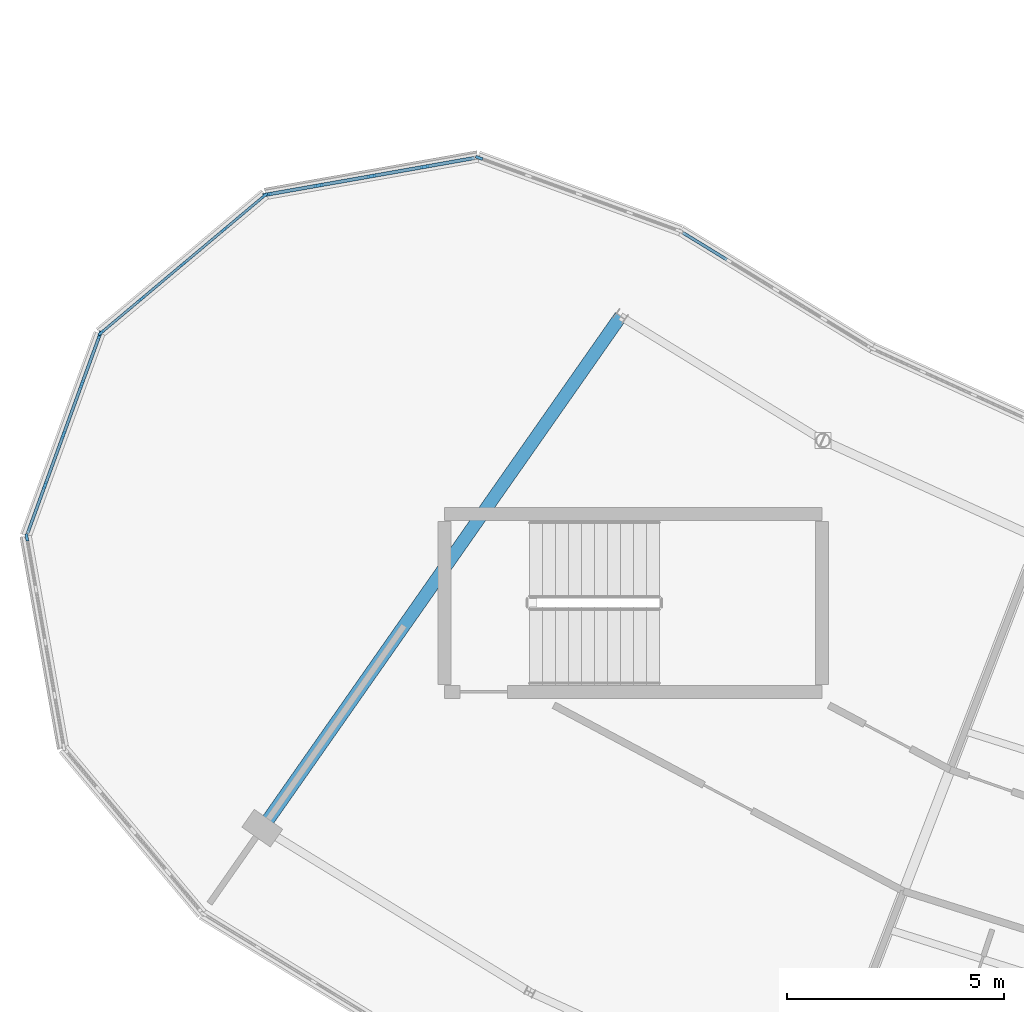
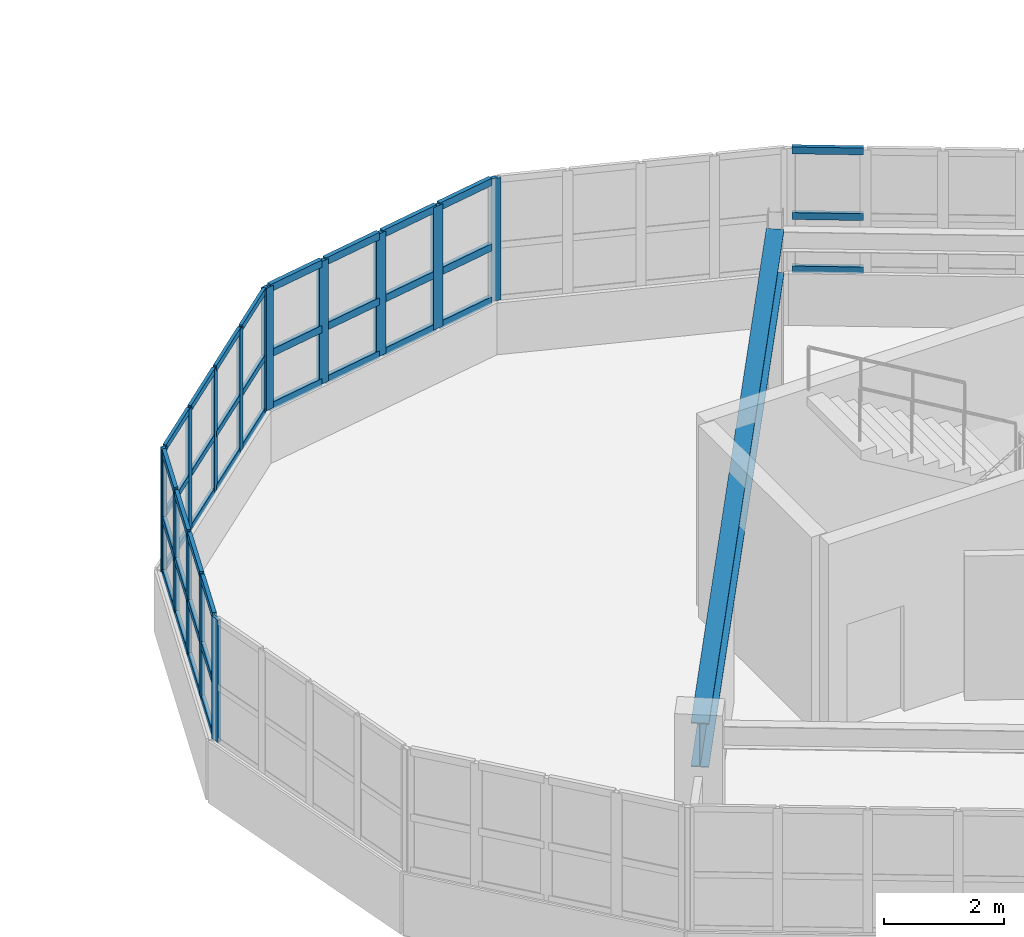
# One storey, part 21 of 79: 54 members, 1 beam, 6 elements without a shape of their own.
"""IFC4 building model written with IfcOpenShell, lengths in metres."""

from ifc_helpers import new_model, si_unit, direction, frame, origin, origin_2d, place, context, subcontext, project, spatial, rectangle, i_section, extrude, material, layer, layer_set, material_profile, profile_set, type_object, element, aggregate, save


model = new_model("IFC4")

# Units and contexts
model_context = context("Model", 3, precision=1e-05, world=origin(), true_north=direction((0.0, 1.0)))
body_context = subcontext(model_context, "Body", "Model", "MODEL_VIEW")
ifc_project = project(units=[si_unit("LENGTHUNIT", "METRE"), si_unit("AREAUNIT", "SQUARE_METRE"), si_unit("VOLUMEUNIT", "CUBIC_METRE"), si_unit("PLANEANGLEUNIT", "RADIAN"), si_unit("MASSUNIT", "GRAM", prefix="KILO")], contexts=[model_context])

# Site, building, storey
site_placement = place(None, origin())
site = spatial("IfcSite", under=ifc_project, at=site_placement, CompositionType="ELEMENT")
building_placement = place(site_placement, origin())
building = spatial("IfcBuilding", under=site, at=building_placement, Name="Tarnwether General Hospital", CompositionType="ELEMENT")
storey_placement = place(building_placement, frame((0.0, 0.0, 18.300048828125)))
storey = spatial("IfcBuildingStorey", under=building, at=storey_placement, Name="L04", CompositionType="ELEMENT", Elevation=18.300048828125)

# Beam
ifc_material_1 = material(Name="Steel Grade 350 (350 MPa)", Category="steel")
ifc_material_profile_1 = material_profile(ifc_material_1, i_section(OverallWidth=0.300048828125, OverallDepth=0.89990234375, WebThickness=0.011962890625, FlangeThickness=0.02001953125, at=origin_2d()), Name="900WB175")
ifc_profile_set_1 = profile_set([ifc_material_profile_1], Name="Steel Grade 350 (350 MPa)")
beam_type = type_object("IfcBeamType", Name="BM-G01", PredefinedType="BEAM", material=ifc_profile_set_1)
beam_placement = place(storey_placement, frame((58.0439453125, 14.506103515625, 3.10986328125), z_axis=(0.573596601347, 0.819137924237, 0.0), x_axis=(-0.819137924237, 0.573596601347, 0.0)))
element("IfcBeam", 1, at=beam_placement, inside=storey, type_object=beam_type, Name="Curved Ward SE Radial Girder BMG-L04-5804_1451-6630_2630-2131", PredefinedType="BEAM", context=body_context, shape_type="SweptSolid", body=[
    extrude(i_section(OverallWidth=0.300048828125, OverallDepth=0.89990234375, WebThickness=0.011962890625, FlangeThickness=0.02001953125, at=origin_2d()), origin(), (0.0, 0.0, 1.0), 14.400390625),
])

# Curtain wall, members
ifc_material_2 = material(Name="Anodised aluminium", Category="aluminium")
ifc_layer = layer(ifc_material_2, 0.159912109375)
ifc_layer_set = layer_set([ifc_layer], Name="Anodised aluminium")
curtain_wall_type = type_object("IfcCurtainWallType", Name="CW-03", PredefinedType="NOTDEFINED", material=ifc_layer_set)
curtain_wall_1_placement = place(storey_placement, origin())
curtain_wall_1 = element("IfcCurtainWall", 2, at=curtain_wall_1_placement, inside=storey, type_object=curtain_wall_type, Name="Curtain Wall CWG-L04-543_259-0214", PredefinedType="NOTDEFINED")
ifc_material_3 = material(Name="Anodised aluminium", Category="aluminium")
ifc_material_profile_2 = material_profile(ifc_material_3, rectangle(XDim=0.06005859375, YDim=0.159912109375, at=origin_2d()), Name="ALU-MUL-60x160")
ifc_profile_set_2 = profile_set([ifc_material_profile_2], Name="Anodised aluminium")
member_type_1 = type_object("IfcMemberType", Name="CW-ML1", PredefinedType="MULLION", material=ifc_profile_set_2)
member_1_placement = place(storey_placement, frame((54.3330078125, 25.92919921875, 1.050048828125), z_axis=(0.0, 0.0, 1.0), x_axis=(-0.64285227611, 0.765990176896, 0.0)))
member_1 = element("IfcMember", 3, at=member_1_placement, type_object=member_type_1, Name="CW-03 mullion 1", PredefinedType="MULLION", context=body_context, shape_type="SweptSolid", body=[
    extrude(rectangle(XDim=0.06005859375, YDim=0.159912109375, at=origin_2d()), origin(), (0.0, 0.0, 1.0), 2.489990234375),
])
member_2_placement = place(storey_placement, frame((55.26171875, 26.708740234375, 1.050048828125), z_axis=(0.0, 0.0, 1.0), x_axis=(-0.64285227611, 0.765990176896, 0.0)))
member_2 = element("IfcMember", 4, at=member_2_placement, type_object=member_type_1, Name="CW-03 mullion 2", PredefinedType="MULLION", context=body_context, shape_type="SweptSolid", body=[
    extrude(rectangle(XDim=0.06005859375, YDim=0.159912109375, at=origin_2d()), origin(), (0.0, 0.0, 1.0), 2.489990234375),
])
member_3_placement = place(storey_placement, frame((56.21337890625, 27.507568359375, 1.050048828125), z_axis=(0.0, 0.0, 1.0), x_axis=(-0.64285227611, 0.765990176896, 0.0)))
member_3 = element("IfcMember", 5, at=member_3_placement, type_object=member_type_1, Name="CW-03 mullion 3", PredefinedType="MULLION", context=body_context, shape_type="SweptSolid", body=[
    extrude(rectangle(XDim=0.06005859375, YDim=0.159912109375, at=origin_2d()), origin(), (0.0, 0.0, 1.0), 2.489990234375),
])
member_4_placement = place(storey_placement, frame((57.165283203125, 28.30615234375, 1.050048828125), z_axis=(0.0, 0.0, 1.0), x_axis=(-0.64285227611, 0.765990176896, 0.0)))
member_4 = element("IfcMember", 6, at=member_4_placement, type_object=member_type_1, Name="CW-03 mullion 4", PredefinedType="MULLION", context=body_context, shape_type="SweptSolid", body=[
    extrude(rectangle(XDim=0.06005859375, YDim=0.159912109375, at=origin_2d()), origin(), (0.0, 0.0, 1.0), 2.489990234375),
])
member_5_placement = place(storey_placement, frame((58.093994140625, 29.085693359375, 1.050048828125), z_axis=(0.0, 0.0, 1.0), x_axis=(-0.64285227611, 0.765990176896, 0.0)))
member_5 = element("IfcMember", 7, at=member_5_placement, type_object=member_type_1, Name="CW-03 mullion 5", PredefinedType="MULLION", context=body_context, shape_type="SweptSolid", body=[
    extrude(rectangle(XDim=0.06005859375, YDim=0.159912109375, at=origin_2d()), origin(), (0.0, 0.0, 1.0), 2.489990234375),
])

curtain_wall_2_placement = place(storey_placement, origin())
curtain_wall_2 = element("IfcCurtainWall", 8, at=curtain_wall_2_placement, inside=storey, type_object=curtain_wall_type, Name="Curtain Wall CWG-L04-526_212-0215", PredefinedType="NOTDEFINED")
ifc_material_4 = material(Name="Anodised aluminium", Category="aluminium")
ifc_material_profile_3 = material_profile(ifc_material_4, rectangle(XDim=0.070068359375, YDim=0.179931640625, at=origin_2d()), Name="ALU-MUL-70x180")
ifc_profile_set_3 = profile_set([ifc_material_profile_3], Name="Anodised aluminium")
member_type_2 = type_object("IfcMemberType", Name="CW-ML2", PredefinedType="MULLION", material=ifc_profile_set_3)
member_6_placement = place(storey_placement, frame((53.03564453125, 22.408203125, 1.050048828125), z_axis=(0.0, 0.0, 1.0), x_axis=(-0.939717006582, 0.341953136469, 0.0)))
member_6 = element("IfcMember", 9, at=member_6_placement, type_object=member_type_2, Name="CW-03 mullion 2", PredefinedType="MULLION", context=body_context, shape_type="SweptSolid", body=[
    extrude(rectangle(XDim=0.070068359375, YDim=0.179931640625, at=origin_2d()), origin(), (0.0, 0.0, 1.0), 2.489990234375),
])
member_7_placement = place(storey_placement, frame((53.46044921875, 23.575439453125, 1.050048828125), z_axis=(0.0, 0.0, 1.0), x_axis=(-0.939717006582, 0.341953136469, 0.0)))
member_7 = element("IfcMember", 10, at=member_7_placement, type_object=member_type_2, Name="CW-03 mullion 3", PredefinedType="MULLION", context=body_context, shape_type="SweptSolid", body=[
    extrude(rectangle(XDim=0.070068359375, YDim=0.179931640625, at=origin_2d()), origin(), (0.0, 0.0, 1.0), 2.489990234375),
])
member_8_placement = place(storey_placement, frame((53.88525390625, 24.74267578125, 1.050048828125), z_axis=(0.0, 0.0, 1.0), x_axis=(-0.939717006582, 0.341953136469, 0.0)))
member_8 = element("IfcMember", 11, at=member_8_placement, type_object=member_type_2, Name="CW-03 mullion 4", PredefinedType="MULLION", context=body_context, shape_type="SweptSolid", body=[
    extrude(rectangle(XDim=0.070068359375, YDim=0.179931640625, at=origin_2d()), origin(), (0.0, 0.0, 1.0), 2.489990234375),
])
member_9_placement = place(storey_placement, frame((54.298095703125, 25.877197265625, 1.050048828125), z_axis=(0.0, 0.0, 1.0), x_axis=(-0.939717006582, 0.341953136469, 0.0)))
member_9 = element("IfcMember", 12, at=member_9_placement, type_object=member_type_2, Name="CW-03 mullion 5", PredefinedType="MULLION", context=body_context, shape_type="SweptSolid", body=[
    extrude(rectangle(XDim=0.070068359375, YDim=0.179931640625, at=origin_2d()), origin(), (0.0, 0.0, 1.0), 2.489990234375),
])

# Curtain wall, member
curtain_wall_3_placement = place(storey_placement, origin())
curtain_wall_3 = element("IfcCurtainWall", 13, at=curtain_wall_3_placement, inside=storey, type_object=curtain_wall_type, Name="Curtain Wall CWG-L04-630_300-0212", PredefinedType="NOTDEFINED")
ifc_material_5 = material(Name="Anodised aluminium", Category="aluminium")
ifc_material_profile_4 = material_profile(ifc_material_5, rectangle(XDim=0.06494140625, YDim=0.169921875, at=origin_2d()), Name="ALU-MUL-65x170")
ifc_profile_set_4 = profile_set([ifc_material_profile_4], Name="Anodised aluminium")
member_type_3 = type_object("IfcMemberType", Name="CW-ML3", PredefinedType="MULLION", material=ifc_profile_set_4)
member_10_placement = place(storey_placement, frame((63.04150390625, 29.956787109375, 1.050048828125), z_axis=(0.0, 0.0, 1.0), x_axis=(0.342130850834, 0.939652319163, 0.0)))
member_10 = element("IfcMember", 14, at=member_10_placement, type_object=member_type_3, Name="CW-03 mullion 1", PredefinedType="MULLION", context=body_context, shape_type="SweptSolid", body=[
    extrude(rectangle(XDim=0.06494140625, YDim=0.169921875, at=origin_2d()), origin(), (0.0, 0.0, 1.0), 2.489990234375),
])
aggregate(curtain_wall_3, [member_10])

curtain_wall_4_placement = place(storey_placement, origin())
curtain_wall_4 = element("IfcCurtainWall", 15, at=curtain_wall_4_placement, inside=storey, type_object=curtain_wall_type, Name="Curtain Wall CWG-L04-535_163-0216", PredefinedType="NOTDEFINED")
member_11_placement = place(storey_placement, frame((52.61669921875, 21.208984375, 1.050048828125), z_axis=(0.0, 0.0, 1.0), x_axis=(-0.984840230098, -0.173463890135, 0.0)))
member_11 = element("IfcMember", 16, at=member_11_placement, type_object=member_type_3, Name="CW-03 mullion 5", PredefinedType="MULLION", context=body_context, shape_type="SweptSolid", body=[
    extrude(rectangle(XDim=0.06494140625, YDim=0.169921875, at=origin_2d()), origin(), (0.0, 0.0, 1.0), 2.489990234375),
])
aggregate(curtain_wall_4, [member_11])

# Curtain wall, members
curtain_wall_5_placement = place(storey_placement, origin())
curtain_wall_5 = element("IfcCurtainWall", 17, at=curtain_wall_5_placement, inside=storey, type_object=curtain_wall_type, Name="Curtain Wall CWG-L04-581_291-0213", PredefinedType="NOTDEFINED")
ifc_material_6 = material(Name="Anodised aluminium", Category="aluminium")
ifc_material_profile_5 = material_profile(ifc_material_6, rectangle(XDim=0.080078125, YDim=0.199951171875, at=origin_2d()), Name="ALU-MUL-80x200")
ifc_profile_set_5 = profile_set([ifc_material_profile_5], Name="Anodised aluminium")
member_type_4 = type_object("IfcMemberType", Name="CW-ML4", PredefinedType="MULLION", material=ifc_profile_set_5)
member_12_placement = place(storey_placement, frame((58.156494140625, 29.112060546875, 1.050048828125), z_axis=(0.0, 0.0, 1.0), x_axis=(-0.173659059054, 0.984805834268, 0.0)))
member_12 = element("IfcMember", 18, at=member_12_placement, type_object=member_type_4, Name="CW-03 mullion 1", PredefinedType="MULLION", context=body_context, shape_type="SweptSolid", body=[
    extrude(rectangle(XDim=0.080078125, YDim=0.199951171875, at=origin_2d()), origin(), (0.0, 0.0, 1.0), 2.489990234375),
])
member_13_placement = place(storey_placement, frame((59.340576171875, 29.32080078125, 1.050048828125), z_axis=(0.0, 0.0, 1.0), x_axis=(-0.173659059054, 0.984805834268, 0.0)))
member_13 = element("IfcMember", 19, at=member_13_placement, type_object=member_type_4, Name="CW-03 mullion 2", PredefinedType="MULLION", context=body_context, shape_type="SweptSolid", body=[
    extrude(rectangle(XDim=0.080078125, YDim=0.199951171875, at=origin_2d()), origin(), (0.0, 0.0, 1.0), 2.489990234375),
])
member_14_placement = place(storey_placement, frame((60.56396484375, 29.53662109375, 1.050048828125), z_axis=(0.0, 0.0, 1.0), x_axis=(-0.173659059054, 0.984805834268, 0.0)))
member_14 = element("IfcMember", 20, at=member_14_placement, type_object=member_type_4, Name="CW-03 mullion 3", PredefinedType="MULLION", context=body_context, shape_type="SweptSolid", body=[
    extrude(rectangle(XDim=0.080078125, YDim=0.199951171875, at=origin_2d()), origin(), (0.0, 0.0, 1.0), 2.489990234375),
])
member_15_placement = place(storey_placement, frame((61.78759765625, 29.752197265625, 1.050048828125), z_axis=(0.0, 0.0, 1.0), x_axis=(-0.173659059054, 0.984805834268, 0.0)))
member_15 = element("IfcMember", 21, at=member_15_placement, type_object=member_type_4, Name="CW-03 mullion 4", PredefinedType="MULLION", context=body_context, shape_type="SweptSolid", body=[
    extrude(rectangle(XDim=0.080078125, YDim=0.199951171875, at=origin_2d()), origin(), (0.0, 0.0, 1.0), 2.489990234375),
])

# Member
ifc_material_7 = material(Name="Anodised aluminium", Category="aluminium")
ifc_material_profile_6 = material_profile(ifc_material_7, rectangle(XDim=0.06005859375, YDim=0.1201171875, at=origin_2d()), Name="ALU-TRN-60x120")
ifc_profile_set_6 = profile_set([ifc_material_profile_6], Name="Anodised aluminium")
member_type_5 = type_object("IfcMemberType", Name="CW-TR1", PredefinedType="USERDEFINED", material=ifc_profile_set_6)
member_16_placement = place(storey_placement, frame((54.35595703125, 25.948486328125, 1.079833984375), z_axis=(0.765959352555, 0.642889003043, 0.0), x_axis=(-0.642889003043, 0.765959352555, 0.0)))
member_16 = element("IfcMember", 22, at=member_16_placement, type_object=member_type_5, Name="CW-03 transom 1.1", ObjectType="TRANSOM", PredefinedType="USERDEFINED", context=body_context, shape_type="SweptSolid", body=[
    extrude(rectangle(XDim=0.06005859375, YDim=0.1201171875, at=origin_2d()), origin(), (0.0, 0.0, 1.0), 1.152587890625),
])

member_17_placement = place(storey_placement, frame((54.35595703125, 25.948486328125, 2.17041015625), z_axis=(0.765959352555, 0.642889003043, 0.0), x_axis=(-0.642889003043, 0.765959352555, 0.0)))
member_17 = element("IfcMember", 23, at=member_17_placement, type_object=member_type_5, Name="CW-03 transom 1.2", ObjectType="TRANSOM", PredefinedType="USERDEFINED", context=body_context, shape_type="SweptSolid", body=[
    extrude(rectangle(XDim=0.06005859375, YDim=0.1201171875, at=origin_2d()), origin(), (0.0, 0.0, 1.0), 1.152587890625),
])

member_18_placement = place(storey_placement, frame((54.35595703125, 25.948486328125, 3.510009765625), z_axis=(0.765959352555, 0.642889003043, 0.0), x_axis=(-0.642889003043, 0.765959352555, 0.0)))
member_18 = element("IfcMember", 24, at=member_18_placement, type_object=member_type_5, Name="CW-03 transom 1.3", ObjectType="TRANSOM", PredefinedType="USERDEFINED", context=body_context, shape_type="SweptSolid", body=[
    extrude(rectangle(XDim=0.06005859375, YDim=0.1201171875, at=origin_2d()), origin(), (0.0, 0.0, 1.0), 1.152587890625),
])

member_19_placement = place(storey_placement, frame((55.28466796875, 26.72802734375, 1.079833984375), z_axis=(0.765948837417, 0.642901530921, 0.0), x_axis=(-0.642901530921, 0.765948837417, 0.0)))
member_19 = element("IfcMember", 25, at=member_19_placement, type_object=member_type_5, Name="CW-03 transom 2.1", ObjectType="TRANSOM", PredefinedType="USERDEFINED", context=body_context, shape_type="SweptSolid", body=[
    extrude(rectangle(XDim=0.06005859375, YDim=0.1201171875, at=origin_2d()), origin(), (0.0, 0.0, 1.0), 1.1826171875),
])

member_20_placement = place(storey_placement, frame((55.28466796875, 26.72802734375, 2.17041015625), z_axis=(0.765948837417, 0.642901530921, 0.0), x_axis=(-0.642901530921, 0.765948837417, 0.0)))
member_20 = element("IfcMember", 26, at=member_20_placement, type_object=member_type_5, Name="CW-03 transom 2.2", ObjectType="TRANSOM", PredefinedType="USERDEFINED", context=body_context, shape_type="SweptSolid", body=[
    extrude(rectangle(XDim=0.06005859375, YDim=0.1201171875, at=origin_2d()), origin(), (0.0, 0.0, 1.0), 1.1826171875),
])

member_21_placement = place(storey_placement, frame((55.28466796875, 26.72802734375, 3.510009765625), z_axis=(0.765948837417, 0.642901530921, 0.0), x_axis=(-0.642901530921, 0.765948837417, 0.0)))
member_21 = element("IfcMember", 27, at=member_21_placement, type_object=member_type_5, Name="CW-03 transom 2.3", ObjectType="TRANSOM", PredefinedType="USERDEFINED", context=body_context, shape_type="SweptSolid", body=[
    extrude(rectangle(XDim=0.06005859375, YDim=0.1201171875, at=origin_2d()), origin(), (0.0, 0.0, 1.0), 1.1826171875),
])

member_22_placement = place(storey_placement, frame((56.236572265625, 27.52685546875, 1.079833984375), z_axis=(0.766050506006, 0.64278038415, 0.0), x_axis=(-0.64278038415, 0.766050506006, 0.0)))
member_22 = element("IfcMember", 28, at=member_22_placement, type_object=member_type_5, Name="CW-03 transom 3.1", ObjectType="TRANSOM", PredefinedType="USERDEFINED", context=body_context, shape_type="SweptSolid", body=[
    extrude(rectangle(XDim=0.06005859375, YDim=0.1201171875, at=origin_2d()), origin(), (0.0, 0.0, 1.0), 1.182373046875),
])

member_23_placement = place(storey_placement, frame((56.236572265625, 27.52685546875, 2.17041015625), z_axis=(0.766050506006, 0.64278038415, 0.0), x_axis=(-0.64278038415, 0.766050506006, 0.0)))
member_23 = element("IfcMember", 29, at=member_23_placement, type_object=member_type_5, Name="CW-03 transom 3.2", ObjectType="TRANSOM", PredefinedType="USERDEFINED", context=body_context, shape_type="SweptSolid", body=[
    extrude(rectangle(XDim=0.06005859375, YDim=0.1201171875, at=origin_2d()), origin(), (0.0, 0.0, 1.0), 1.182373046875),
])

member_24_placement = place(storey_placement, frame((56.236572265625, 27.52685546875, 3.510009765625), z_axis=(0.766050506006, 0.64278038415, 0.0), x_axis=(-0.64278038415, 0.766050506006, 0.0)))
member_24 = element("IfcMember", 30, at=member_24_placement, type_object=member_type_5, Name="CW-03 transom 3.3", ObjectType="TRANSOM", PredefinedType="USERDEFINED", context=body_context, shape_type="SweptSolid", body=[
    extrude(rectangle(XDim=0.06005859375, YDim=0.1201171875, at=origin_2d()), origin(), (0.0, 0.0, 1.0), 1.182373046875),
])

member_25_placement = place(storey_placement, frame((57.188232421875, 28.325439453125, 1.079833984375), z_axis=(0.765959352555, 0.642889003043, 0.0), x_axis=(-0.642889003043, 0.765959352555, 0.0)))
member_25 = element("IfcMember", 31, at=member_25_placement, type_object=member_type_5, Name="CW-03 transom 4.1", ObjectType="TRANSOM", PredefinedType="USERDEFINED", context=body_context, shape_type="SweptSolid", body=[
    extrude(rectangle(XDim=0.06005859375, YDim=0.1201171875, at=origin_2d()), origin(), (0.0, 0.0, 1.0), 1.152587890625),
])

member_26_placement = place(storey_placement, frame((57.188232421875, 28.325439453125, 2.17041015625), z_axis=(0.765959352555, 0.642889003043, 0.0), x_axis=(-0.642889003043, 0.765959352555, 0.0)))
member_26 = element("IfcMember", 32, at=member_26_placement, type_object=member_type_5, Name="CW-03 transom 4.2", ObjectType="TRANSOM", PredefinedType="USERDEFINED", context=body_context, shape_type="SweptSolid", body=[
    extrude(rectangle(XDim=0.06005859375, YDim=0.1201171875, at=origin_2d()), origin(), (0.0, 0.0, 1.0), 1.152587890625),
])

member_27_placement = place(storey_placement, frame((57.188232421875, 28.325439453125, 3.510009765625), z_axis=(0.765959352555, 0.642889003043, 0.0), x_axis=(-0.642889003043, 0.765959352555, 0.0)))
member_27 = element("IfcMember", 33, at=member_27_placement, type_object=member_type_5, Name="CW-03 transom 4.3", ObjectType="TRANSOM", PredefinedType="USERDEFINED", context=body_context, shape_type="SweptSolid", body=[
    extrude(rectangle(XDim=0.06005859375, YDim=0.1201171875, at=origin_2d()), origin(), (0.0, 0.0, 1.0), 1.152587890625),
])

aggregate(curtain_wall_1, [member_1, member_2, member_3, member_4, member_5, member_16, member_17, member_18, member_19, member_20, member_21, member_22, member_23, member_24, member_25, member_26, member_27])

# Curtain wall, members
curtain_wall_6_placement = place(storey_placement, origin())
curtain_wall_6 = element("IfcCurtainWall", 34, at=curtain_wall_6_placement, inside=storey, type_object=curtain_wall_type, Name="Curtain Wall CWG-L04-677_283-0211", PredefinedType="NOTDEFINED")
ifc_material_8 = material(Name="Anodised aluminium", Category="aluminium")
ifc_material_profile_7 = material_profile(ifc_material_8, rectangle(XDim=0.070068359375, YDim=0.139892578125, at=origin_2d()), Name="ALU-TRN-70x140")
ifc_profile_set_7 = profile_set([ifc_material_profile_7], Name="Anodised aluminium")
member_type_6 = type_object("IfcMemberType", Name="CW-TR2", PredefinedType="USERDEFINED", material=ifc_profile_set_7)
member_28_placement = place(storey_placement, frame((67.73974609375, 28.2314453125, 1.0849609375), z_axis=(0.852636658785, -0.522504285242, 0.0), x_axis=(0.522504285242, 0.852636658785, 0.0)))
member_28 = element("IfcMember", 35, at=member_28_placement, type_object=member_type_6, Name="CW-03 transom 1.1", ObjectType="TRANSOM", PredefinedType="USERDEFINED", context=body_context, shape_type="SweptSolid", body=[
    extrude(rectangle(XDim=0.070068359375, YDim=0.139892578125, at=origin_2d()), origin(), (0.0, 0.0, 1.0), 1.189208984375),
])
member_29_placement = place(storey_placement, frame((67.73974609375, 28.2314453125, 2.17041015625), z_axis=(0.852636658785, -0.522504285242, 0.0), x_axis=(0.522504285242, 0.852636658785, 0.0)))
member_29 = element("IfcMember", 36, at=member_29_placement, type_object=member_type_6, Name="CW-03 transom 1.2", ObjectType="TRANSOM", PredefinedType="USERDEFINED", context=body_context, shape_type="SweptSolid", body=[
    extrude(rectangle(XDim=0.070068359375, YDim=0.139892578125, at=origin_2d()), origin(), (0.0, 0.0, 1.0), 1.189208984375),
])
member_30_placement = place(storey_placement, frame((67.73974609375, 28.2314453125, 3.5048828125), z_axis=(0.852636658785, -0.522504285242, 0.0), x_axis=(0.522504285242, 0.852636658785, 0.0)))
member_30 = element("IfcMember", 37, at=member_30_placement, type_object=member_type_6, Name="CW-03 transom 1.3", ObjectType="TRANSOM", PredefinedType="USERDEFINED", context=body_context, shape_type="SweptSolid", body=[
    extrude(rectangle(XDim=0.070068359375, YDim=0.139892578125, at=origin_2d()), origin(), (0.0, 0.0, 1.0), 1.189208984375),
])
aggregate(curtain_wall_6, [member_28, member_29, member_30])

# Member
member_31_placement = place(storey_placement, frame((52.635009765625, 21.306884765625, 1.0849609375), z_axis=(0.341881000608, 0.939743252928, 0.0), x_axis=(-0.939743252928, 0.341881000608, 0.0)))
member_31 = element("IfcMember", 38, at=member_31_placement, type_object=member_type_6, Name="CW-03 transom 1.1", ObjectType="TRANSOM", PredefinedType="USERDEFINED", context=body_context, shape_type="SweptSolid", body=[
    extrude(rectangle(XDim=0.070068359375, YDim=0.139892578125, at=origin_2d()), origin(), (0.0, 0.0, 1.0), 1.136962890625),
])

member_32_placement = place(storey_placement, frame((52.635009765625, 21.306884765625, 2.17041015625), z_axis=(0.341881000608, 0.939743252928, 0.0), x_axis=(-0.939743252928, 0.341881000608, 0.0)))
member_32 = element("IfcMember", 39, at=member_32_placement, type_object=member_type_6, Name="CW-03 transom 1.2", ObjectType="TRANSOM", PredefinedType="USERDEFINED", context=body_context, shape_type="SweptSolid", body=[
    extrude(rectangle(XDim=0.070068359375, YDim=0.139892578125, at=origin_2d()), origin(), (0.0, 0.0, 1.0), 1.136962890625),
])

member_33_placement = place(storey_placement, frame((52.635009765625, 21.306884765625, 3.5048828125), z_axis=(0.341881000608, 0.939743252928, 0.0), x_axis=(-0.939743252928, 0.341881000608, 0.0)))
member_33 = element("IfcMember", 40, at=member_33_placement, type_object=member_type_6, Name="CW-03 transom 1.3", ObjectType="TRANSOM", PredefinedType="USERDEFINED", context=body_context, shape_type="SweptSolid", body=[
    extrude(rectangle(XDim=0.070068359375, YDim=0.139892578125, at=origin_2d()), origin(), (0.0, 0.0, 1.0), 1.136962890625),
])

member_34_placement = place(storey_placement, frame((53.047607421875, 22.441162109375, 1.0849609375), z_axis=(0.341977164717, 0.939708262607, 0.0), x_axis=(-0.939708262607, 0.341977164717, 0.0)))
member_34 = element("IfcMember", 41, at=member_34_placement, type_object=member_type_6, Name="CW-03 transom 2.1", ObjectType="TRANSOM", PredefinedType="USERDEFINED", context=body_context, shape_type="SweptSolid", body=[
    extrude(rectangle(XDim=0.070068359375, YDim=0.139892578125, at=origin_2d()), origin(), (0.0, 0.0, 1.0), 1.172119140625),
])

member_35_placement = place(storey_placement, frame((53.047607421875, 22.441162109375, 2.17041015625), z_axis=(0.341977164717, 0.939708262607, 0.0), x_axis=(-0.939708262607, 0.341977164717, 0.0)))
member_35 = element("IfcMember", 42, at=member_35_placement, type_object=member_type_6, Name="CW-03 transom 2.2", ObjectType="TRANSOM", PredefinedType="USERDEFINED", context=body_context, shape_type="SweptSolid", body=[
    extrude(rectangle(XDim=0.070068359375, YDim=0.139892578125, at=origin_2d()), origin(), (0.0, 0.0, 1.0), 1.172119140625),
])

member_36_placement = place(storey_placement, frame((53.047607421875, 22.441162109375, 3.5048828125), z_axis=(0.341977164717, 0.939708262607, 0.0), x_axis=(-0.939708262607, 0.341977164717, 0.0)))
member_36 = element("IfcMember", 43, at=member_36_placement, type_object=member_type_6, Name="CW-03 transom 2.3", ObjectType="TRANSOM", PredefinedType="USERDEFINED", context=body_context, shape_type="SweptSolid", body=[
    extrude(rectangle(XDim=0.070068359375, YDim=0.139892578125, at=origin_2d()), origin(), (0.0, 0.0, 1.0), 1.172119140625),
])

member_37_placement = place(storey_placement, frame((53.472412109375, 23.6083984375, 1.0849609375), z_axis=(0.341977164717, 0.939708262607, 0.0), x_axis=(-0.939708262607, 0.341977164717, 0.0)))
member_37 = element("IfcMember", 44, at=member_37_placement, type_object=member_type_6, Name="CW-03 transom 3.1", ObjectType="TRANSOM", PredefinedType="USERDEFINED", context=body_context, shape_type="SweptSolid", body=[
    extrude(rectangle(XDim=0.070068359375, YDim=0.139892578125, at=origin_2d()), origin(), (0.0, 0.0, 1.0), 1.172119140625),
])

member_38_placement = place(storey_placement, frame((53.472412109375, 23.6083984375, 2.17041015625), z_axis=(0.341977164717, 0.939708262607, 0.0), x_axis=(-0.939708262607, 0.341977164717, 0.0)))
member_38 = element("IfcMember", 45, at=member_38_placement, type_object=member_type_6, Name="CW-03 transom 3.2", ObjectType="TRANSOM", PredefinedType="USERDEFINED", context=body_context, shape_type="SweptSolid", body=[
    extrude(rectangle(XDim=0.070068359375, YDim=0.139892578125, at=origin_2d()), origin(), (0.0, 0.0, 1.0), 1.172119140625),
])

member_39_placement = place(storey_placement, frame((53.472412109375, 23.6083984375, 3.5048828125), z_axis=(0.341977164717, 0.939708262607, 0.0), x_axis=(-0.939708262607, 0.341977164717, 0.0)))
member_39 = element("IfcMember", 46, at=member_39_placement, type_object=member_type_6, Name="CW-03 transom 3.3", ObjectType="TRANSOM", PredefinedType="USERDEFINED", context=body_context, shape_type="SweptSolid", body=[
    extrude(rectangle(XDim=0.070068359375, YDim=0.139892578125, at=origin_2d()), origin(), (0.0, 0.0, 1.0), 1.172119140625),
])

member_40_placement = place(storey_placement, frame((53.897216796875, 24.775634765625, 1.0849609375), z_axis=(0.342001618739, 0.939699362977, 0.0), x_axis=(-0.939699362977, 0.342001618739, 0.0)))
member_40 = element("IfcMember", 47, at=member_40_placement, type_object=member_type_6, Name="CW-03 transom 4.1", ObjectType="TRANSOM", PredefinedType="USERDEFINED", context=body_context, shape_type="SweptSolid", body=[
    extrude(rectangle(XDim=0.070068359375, YDim=0.139892578125, at=origin_2d()), origin(), (0.0, 0.0, 1.0), 1.13720703125),
])

member_41_placement = place(storey_placement, frame((53.897216796875, 24.775634765625, 2.17041015625), z_axis=(0.342001618739, 0.939699362977, 0.0), x_axis=(-0.939699362977, 0.342001618739, 0.0)))
member_41 = element("IfcMember", 48, at=member_41_placement, type_object=member_type_6, Name="CW-03 transom 4.2", ObjectType="TRANSOM", PredefinedType="USERDEFINED", context=body_context, shape_type="SweptSolid", body=[
    extrude(rectangle(XDim=0.070068359375, YDim=0.139892578125, at=origin_2d()), origin(), (0.0, 0.0, 1.0), 1.13720703125),
])

member_42_placement = place(storey_placement, frame((53.897216796875, 24.775634765625, 3.5048828125), z_axis=(0.342001618739, 0.939699362977, 0.0), x_axis=(-0.939699362977, 0.342001618739, 0.0)))
member_42 = element("IfcMember", 49, at=member_42_placement, type_object=member_type_6, Name="CW-03 transom 4.3", ObjectType="TRANSOM", PredefinedType="USERDEFINED", context=body_context, shape_type="SweptSolid", body=[
    extrude(rectangle(XDim=0.070068359375, YDim=0.139892578125, at=origin_2d()), origin(), (0.0, 0.0, 1.0), 1.13720703125),
])

aggregate(curtain_wall_2, [member_6, member_7, member_8, member_9, member_31, member_32, member_33, member_34, member_35, member_36, member_37, member_38, member_39, member_40, member_41, member_42])

ifc_material_9 = material(Name="Anodised aluminium", Category="aluminium")
ifc_material_profile_8 = material_profile(ifc_material_9, rectangle(XDim=0.080078125, YDim=0.14990234375, at=origin_2d()), Name="ALU-TRN-80x150")
ifc_profile_set_8 = profile_set([ifc_material_profile_8], Name="Anodised aluminium")
member_type_7 = type_object("IfcMemberType", Name="CW-TR4", PredefinedType="USERDEFINED", material=ifc_profile_set_8)
member_43_placement = place(storey_placement, frame((58.19580078125, 29.118896484375, 1.08984375), z_axis=(0.984816391651, 0.173599178383, 0.0), x_axis=(-0.173599178383, 0.984816391651, 0.0)))
member_43 = element("IfcMember", 50, at=member_43_placement, type_object=member_type_7, Name="CW-03 transom 1.1", ObjectType="TRANSOM", PredefinedType="USERDEFINED", context=body_context, shape_type="SweptSolid", body=[
    extrude(rectangle(XDim=0.080078125, YDim=0.14990234375, at=origin_2d()), origin(), (0.0, 0.0, 1.0), 1.122314453125),
])

member_44_placement = place(storey_placement, frame((58.19580078125, 29.118896484375, 2.17041015625), z_axis=(0.984816391651, 0.173599178383, 0.0), x_axis=(-0.173599178383, 0.984816391651, 0.0)))
member_44 = element("IfcMember", 51, at=member_44_placement, type_object=member_type_7, Name="CW-03 transom 1.2", ObjectType="TRANSOM", PredefinedType="USERDEFINED", context=body_context, shape_type="SweptSolid", body=[
    extrude(rectangle(XDim=0.080078125, YDim=0.14990234375, at=origin_2d()), origin(), (0.0, 0.0, 1.0), 1.122314453125),
])

member_45_placement = place(storey_placement, frame((58.19580078125, 29.118896484375, 3.5), z_axis=(0.984816391651, 0.173599178383, 0.0), x_axis=(-0.173599178383, 0.984816391651, 0.0)))
member_45 = element("IfcMember", 52, at=member_45_placement, type_object=member_type_7, Name="CW-03 transom 1.3", ObjectType="TRANSOM", PredefinedType="USERDEFINED", context=body_context, shape_type="SweptSolid", body=[
    extrude(rectangle(XDim=0.080078125, YDim=0.14990234375, at=origin_2d()), origin(), (0.0, 0.0, 1.0), 1.122314453125),
])

member_46_placement = place(storey_placement, frame((59.3798828125, 29.32763671875, 1.08984375), z_axis=(0.984800468802, 0.173689483408, 0.0), x_axis=(-0.173689483408, 0.984800468802, 0.0)))
member_46 = element("IfcMember", 53, at=member_46_placement, type_object=member_type_7, Name="CW-03 transom 2.1", ObjectType="TRANSOM", PredefinedType="USERDEFINED", context=body_context, shape_type="SweptSolid", body=[
    extrude(rectangle(XDim=0.080078125, YDim=0.14990234375, at=origin_2d()), origin(), (0.0, 0.0, 1.0), 1.162353515625),
])

member_47_placement = place(storey_placement, frame((59.3798828125, 29.32763671875, 2.17041015625), z_axis=(0.984800468802, 0.173689483408, 0.0), x_axis=(-0.173689483408, 0.984800468802, 0.0)))
member_47 = element("IfcMember", 54, at=member_47_placement, type_object=member_type_7, Name="CW-03 transom 2.2", ObjectType="TRANSOM", PredefinedType="USERDEFINED", context=body_context, shape_type="SweptSolid", body=[
    extrude(rectangle(XDim=0.080078125, YDim=0.14990234375, at=origin_2d()), origin(), (0.0, 0.0, 1.0), 1.162353515625),
])

member_48_placement = place(storey_placement, frame((59.3798828125, 29.32763671875, 3.5), z_axis=(0.984800468802, 0.173689483408, 0.0), x_axis=(-0.173689483408, 0.984800468802, 0.0)))
member_48 = element("IfcMember", 55, at=member_48_placement, type_object=member_type_7, Name="CW-03 transom 2.3", ObjectType="TRANSOM", PredefinedType="USERDEFINED", context=body_context, shape_type="SweptSolid", body=[
    extrude(rectangle(XDim=0.080078125, YDim=0.14990234375, at=origin_2d()), origin(), (0.0, 0.0, 1.0), 1.162353515625),
])

member_49_placement = place(storey_placement, frame((60.603271484375, 29.54345703125, 1.08984375), z_axis=(0.984800468802, 0.173689483408, 0.0), x_axis=(-0.173689483408, 0.984800468802, 0.0)))
member_49 = element("IfcMember", 56, at=member_49_placement, type_object=member_type_7, Name="CW-03 transom 3.1", ObjectType="TRANSOM", PredefinedType="USERDEFINED", context=body_context, shape_type="SweptSolid", body=[
    extrude(rectangle(XDim=0.080078125, YDim=0.14990234375, at=origin_2d()), origin(), (0.0, 0.0, 1.0), 1.162353515625),
])

member_50_placement = place(storey_placement, frame((60.603271484375, 29.54345703125, 2.17041015625), z_axis=(0.984800468802, 0.173689483408, 0.0), x_axis=(-0.173689483408, 0.984800468802, 0.0)))
member_50 = element("IfcMember", 57, at=member_50_placement, type_object=member_type_7, Name="CW-03 transom 3.2", ObjectType="TRANSOM", PredefinedType="USERDEFINED", context=body_context, shape_type="SweptSolid", body=[
    extrude(rectangle(XDim=0.080078125, YDim=0.14990234375, at=origin_2d()), origin(), (0.0, 0.0, 1.0), 1.162353515625),
])

member_51_placement = place(storey_placement, frame((60.603271484375, 29.54345703125, 3.5), z_axis=(0.984800468802, 0.173689483408, 0.0), x_axis=(-0.173689483408, 0.984800468802, 0.0)))
member_51 = element("IfcMember", 58, at=member_51_placement, type_object=member_type_7, Name="CW-03 transom 3.3", ObjectType="TRANSOM", PredefinedType="USERDEFINED", context=body_context, shape_type="SweptSolid", body=[
    extrude(rectangle(XDim=0.080078125, YDim=0.14990234375, at=origin_2d()), origin(), (0.0, 0.0, 1.0), 1.162353515625),
])

member_52_placement = place(storey_placement, frame((61.826904296875, 29.75927734375, 1.08984375), z_axis=(0.984816391651, 0.173599178383, 0.0), x_axis=(-0.173599178383, 0.984816391651, 0.0)))
member_52 = element("IfcMember", 59, at=member_52_placement, type_object=member_type_7, Name="CW-03 transom 4.1", ObjectType="TRANSOM", PredefinedType="USERDEFINED", context=body_context, shape_type="SweptSolid", body=[
    extrude(rectangle(XDim=0.080078125, YDim=0.14990234375, at=origin_2d()), origin(), (0.0, 0.0, 1.0), 1.122314453125),
])

member_53_placement = place(storey_placement, frame((61.826904296875, 29.75927734375, 2.17041015625), z_axis=(0.984816391651, 0.173599178383, 0.0), x_axis=(-0.173599178383, 0.984816391651, 0.0)))
member_53 = element("IfcMember", 60, at=member_53_placement, type_object=member_type_7, Name="CW-03 transom 4.2", ObjectType="TRANSOM", PredefinedType="USERDEFINED", context=body_context, shape_type="SweptSolid", body=[
    extrude(rectangle(XDim=0.080078125, YDim=0.14990234375, at=origin_2d()), origin(), (0.0, 0.0, 1.0), 1.122314453125),
])

member_54_placement = place(storey_placement, frame((61.826904296875, 29.75927734375, 3.5), z_axis=(0.984816391651, 0.173599178383, 0.0), x_axis=(-0.173599178383, 0.984816391651, 0.0)))
member_54 = element("IfcMember", 61, at=member_54_placement, type_object=member_type_7, Name="CW-03 transom 4.3", ObjectType="TRANSOM", PredefinedType="USERDEFINED", context=body_context, shape_type="SweptSolid", body=[
    extrude(rectangle(XDim=0.080078125, YDim=0.14990234375, at=origin_2d()), origin(), (0.0, 0.0, 1.0), 1.122314453125),
])

aggregate(curtain_wall_5, [member_12, member_13, member_14, member_15, member_43, member_44, member_45, member_46, member_47, member_48, member_49, member_50, member_51, member_52, member_53, member_54])

save(model, "model.ifc")
